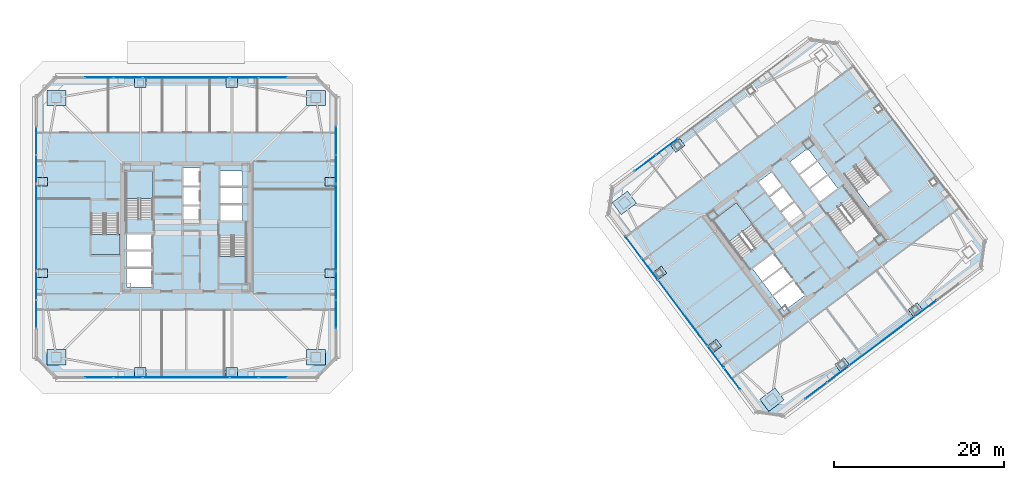
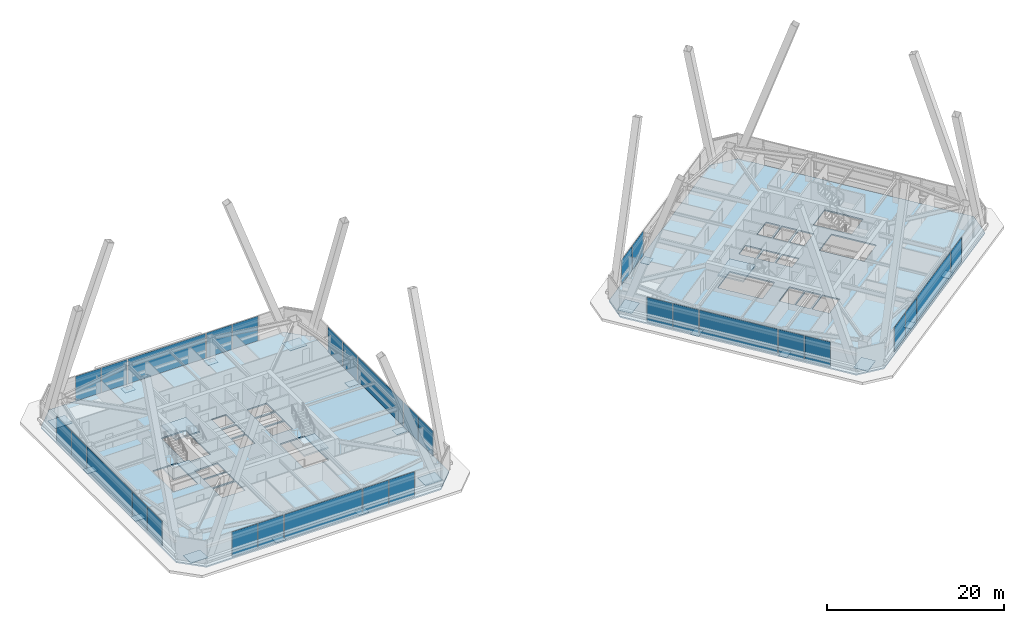
# One storey, part 53 of 65: 50 plates, 6 slabs, 23 elements without a shape of their own.
"""IFC4 building model written with IfcOpenShell, lengths in metres."""

from ifc_helpers import new_model, si_unit, direction, frame, origin, origin_2d, place, context, subcontext, project, spatial, polyline, rectangle, outline, extrude, material, layer, layer_set, type_object, element, aggregate, save


model = new_model("IFC4")

# Units and contexts
model_context = context("Model", 3, precision=1e-05, world=origin(), true_north=direction((0.0, 1.0)))
body_context = subcontext(model_context, "Body", "Model", "MODEL_VIEW")
ifc_project = project(units=[si_unit("LENGTHUNIT", "METRE"), si_unit("AREAUNIT", "SQUARE_METRE"), si_unit("VOLUMEUNIT", "CUBIC_METRE"), si_unit("PLANEANGLEUNIT", "RADIAN"), si_unit("MASSUNIT", "GRAM", prefix="KILO")], contexts=[model_context])

# Site, building, storey
site_placement = place(None, origin())
site = spatial("IfcSite", under=ifc_project, at=site_placement, CompositionType="ELEMENT")
building_placement = place(site_placement, origin())
building = spatial("IfcBuilding", under=site, at=building_placement, Name="Tashvorn Skyway Center", CompositionType="ELEMENT")
storey_placement = place(building_placement, frame((0.0, 0.0, 157.0)))
storey = spatial("IfcBuildingStorey", under=building, at=storey_placement, Name="L42", CompositionType="ELEMENT", Elevation=157.0)

# Curtain wall, plates
ifc_material_1 = material(Name="Thermally broken bronze-anodized aluminium 6063-T6", Category="aluminium")
curtain_wall_type = type_object("IfcCurtainWallType", Name="CW-CW-Z4", PredefinedType="NOTDEFINED", material=ifc_material_1)
curtain_wall_1_placement = place(storey_placement, origin())
curtain_wall_1 = element("IfcCurtainWall", 1, at=curtain_wall_1_placement, inside=storey, type_object=curtain_wall_type, Name="Tower 1 L42 South Unitised Curtain Wall Glazing Group 1", PredefinedType="NOTDEFINED")
ifc_material_2 = material(Name="Low-E solar-control double insulating safety glass", Category="glass")
ifc_layer_1 = layer(ifc_material_2, 0.035888671875)
ifc_layer_set_1 = layer_set([ifc_layer_1], Name="Low-E solar-control double insulating safety glass")
plate_type_1 = type_object("IfcPlateType", Name="CWP-CW-Z4", PredefinedType="CURTAIN_PANEL", material=ifc_layer_set_1)
plate_1_placement = place(storey_placement, frame((52.23583984375, 14.320068359375, 0.06982421875), z_axis=(0.0, 0.0, 1.0), x_axis=(-1.0, 0.0, 0.0)))
plate_1 = element("IfcPlate", 2, at=plate_1_placement, type_object=plate_type_1, Name="CW-Z4 panel 1.1", PredefinedType="CURTAIN_PANEL", context=body_context, shape_type="SweptSolid", body=[
    extrude(rectangle(XDim=3.312744140625, YDim=0.035888671875, at=origin_2d()), origin(), (0.0, 0.0, 1.0), 3.409912109375),
])
plate_2_placement = place(storey_placement, frame((48.85302734375, 14.320068359375, 0.06982421875), z_axis=(0.0, 0.0, 1.0), x_axis=(-1.0, 0.0, 0.0)))
plate_2 = element("IfcPlate", 3, at=plate_2_placement, type_object=plate_type_1, Name="CW-Z4 panel 2.1", PredefinedType="CURTAIN_PANEL", context=body_context, shape_type="SweptSolid", body=[
    extrude(rectangle(XDim=3.312744140625, YDim=0.035888671875, at=origin_2d()), origin(), (0.0, 0.0, 1.0), 3.409912109375),
])
aggregate(curtain_wall_1, [plate_1, plate_2])

# Curtain wall, plate
curtain_wall_2_placement = place(storey_placement, origin())
curtain_wall_2 = element("IfcCurtainWall", 4, at=curtain_wall_2_placement, inside=storey, type_object=curtain_wall_type, Name="Tower 1 L42 South Unitised Curtain Wall Glazing Group 2", PredefinedType="NOTDEFINED")
plate_3_placement = place(storey_placement, frame((42.0, 14.320068359375, 0.06982421875), z_axis=(0.0, 0.0, 1.0), x_axis=(-1.0, 0.0, 0.0)))
plate_3 = element("IfcPlate", 5, at=plate_3_placement, type_object=plate_type_1, Name="CW-Z4 panel 1.1", PredefinedType="CURTAIN_PANEL", context=body_context, shape_type="SweptSolid", body=[
    extrude(rectangle(XDim=10.11328125, YDim=0.035888671875, at=origin_2d()), origin(), (0.0, 0.0, 1.0), 3.409912109375),
])
aggregate(curtain_wall_2, [plate_3])

# Curtain wall, plates
curtain_wall_3_placement = place(storey_placement, origin())
curtain_wall_3 = element("IfcCurtainWall", 6, at=curtain_wall_3_placement, inside=storey, type_object=curtain_wall_type, Name="Tower 1 L42 South Unitised Curtain Wall Glazing Group 3", PredefinedType="NOTDEFINED")
plate_4_placement = place(storey_placement, frame((35.14697265625, 14.320068359375, 0.06982421875), z_axis=(0.0, 0.0, 1.0), x_axis=(-1.0, 0.0, 0.0)))
plate_4 = element("IfcPlate", 7, at=plate_4_placement, type_object=plate_type_1, Name="CW-Z4 panel 1.1", PredefinedType="CURTAIN_PANEL", context=body_context, shape_type="SweptSolid", body=[
    extrude(rectangle(XDim=3.312744140625, YDim=0.035888671875, at=origin_2d()), origin(), (0.0, 0.0, 1.0), 3.409912109375),
])
plate_5_placement = place(storey_placement, frame((31.76416015625, 14.320068359375, 0.06982421875), z_axis=(0.0, 0.0, 1.0), x_axis=(-1.0, 0.0, 0.0)))
plate_5 = element("IfcPlate", 8, at=plate_5_placement, type_object=plate_type_1, Name="CW-Z4 panel 2.1", PredefinedType="CURTAIN_PANEL", context=body_context, shape_type="SweptSolid", body=[
    extrude(rectangle(XDim=3.312744140625, YDim=0.035888671875, at=origin_2d()), origin(), (0.0, 0.0, 1.0), 3.409912109375),
])
aggregate(curtain_wall_3, [plate_4, plate_5])

curtain_wall_4_placement = place(storey_placement, origin())
curtain_wall_4 = element("IfcCurtainWall", 9, at=curtain_wall_4_placement, inside=storey, type_object=curtain_wall_type, Name="Tower 1 L42 West Unitised Curtain Wall Glazing Group 1", PredefinedType="NOTDEFINED")
plate_6_placement = place(storey_placement, frame((24.320068359375, 21.76416015625, 0.06982421875), z_axis=(0.0, 0.0, 1.0), x_axis=(0.0, 1.0, 0.0)))
plate_6 = element("IfcPlate", 10, at=plate_6_placement, type_object=plate_type_1, Name="CW-Z4 panel 1.1", PredefinedType="CURTAIN_PANEL", context=body_context, shape_type="SweptSolid", body=[
    extrude(rectangle(XDim=3.312744140625, YDim=0.035888671875, at=origin_2d()), origin(), (0.0, 0.0, 1.0), 3.409912109375),
])
plate_7_placement = place(storey_placement, frame((24.320068359375, 25.14697265625, 0.06982421875), z_axis=(0.0, 0.0, 1.0), x_axis=(0.0, 1.0, 0.0)))
plate_7 = element("IfcPlate", 11, at=plate_7_placement, type_object=plate_type_1, Name="CW-Z4 panel 2.1", PredefinedType="CURTAIN_PANEL", context=body_context, shape_type="SweptSolid", body=[
    extrude(rectangle(XDim=3.312744140625, YDim=0.035888671875, at=origin_2d()), origin(), (0.0, 0.0, 1.0), 3.409912109375),
])
aggregate(curtain_wall_4, [plate_6, plate_7])

# Curtain wall, plate
curtain_wall_5_placement = place(storey_placement, origin())
curtain_wall_5 = element("IfcCurtainWall", 12, at=curtain_wall_5_placement, inside=storey, type_object=curtain_wall_type, Name="Tower 1 L42 West Unitised Curtain Wall Glazing Group 2", PredefinedType="NOTDEFINED")
plate_8_placement = place(storey_placement, frame((24.320068359375, 32.0, 0.06982421875), z_axis=(0.0, 0.0, 1.0), x_axis=(0.0, 1.0, 0.0)))
plate_8 = element("IfcPlate", 13, at=plate_8_placement, type_object=plate_type_1, Name="CW-Z4 panel 1.1", PredefinedType="CURTAIN_PANEL", context=body_context, shape_type="SweptSolid", body=[
    extrude(rectangle(XDim=10.11328125, YDim=0.035888671875, at=origin_2d()), origin(), (0.0, 0.0, 1.0), 3.409912109375),
])
aggregate(curtain_wall_5, [plate_8])

# Curtain wall, plates
curtain_wall_6_placement = place(storey_placement, origin())
curtain_wall_6 = element("IfcCurtainWall", 14, at=curtain_wall_6_placement, inside=storey, type_object=curtain_wall_type, Name="Tower 1 L42 West Unitised Curtain Wall Glazing Group 3", PredefinedType="NOTDEFINED")
plate_9_placement = place(storey_placement, frame((24.320068359375, 38.85302734375, 0.06982421875), z_axis=(0.0, 0.0, 1.0), x_axis=(0.0, 1.0, 0.0)))
plate_9 = element("IfcPlate", 15, at=plate_9_placement, type_object=plate_type_1, Name="CW-Z4 panel 1.1", PredefinedType="CURTAIN_PANEL", context=body_context, shape_type="SweptSolid", body=[
    extrude(rectangle(XDim=3.312744140625, YDim=0.035888671875, at=origin_2d()), origin(), (0.0, 0.0, 1.0), 3.409912109375),
])
plate_10_placement = place(storey_placement, frame((24.320068359375, 42.23583984375, 0.06982421875), z_axis=(0.0, 0.0, 1.0), x_axis=(0.0, 1.0, 0.0)))
plate_10 = element("IfcPlate", 16, at=plate_10_placement, type_object=plate_type_1, Name="CW-Z4 panel 2.1", PredefinedType="CURTAIN_PANEL", context=body_context, shape_type="SweptSolid", body=[
    extrude(rectangle(XDim=3.312744140625, YDim=0.035888671875, at=origin_2d()), origin(), (0.0, 0.0, 1.0), 3.409912109375),
])
aggregate(curtain_wall_6, [plate_9, plate_10])

curtain_wall_7_placement = place(storey_placement, origin())
curtain_wall_7 = element("IfcCurtainWall", 17, at=curtain_wall_7_placement, inside=storey, type_object=curtain_wall_type, Name="Tower 1 L42 North Unitised Curtain Wall Glazing Group 1", PredefinedType="NOTDEFINED")
plate_11_placement = place(storey_placement, frame((31.76416015625, 49.679931640625, 0.06982421875), z_axis=(0.0, 0.0, 1.0), x_axis=(1.0, 0.0, 0.0)))
plate_11 = element("IfcPlate", 18, at=plate_11_placement, type_object=plate_type_1, Name="CW-Z4 panel 1.1", PredefinedType="CURTAIN_PANEL", context=body_context, shape_type="SweptSolid", body=[
    extrude(rectangle(XDim=3.312744140625, YDim=0.035888671875, at=origin_2d()), origin(), (0.0, 0.0, 1.0), 3.409912109375),
])
plate_12_placement = place(storey_placement, frame((35.14697265625, 49.679931640625, 0.06982421875), z_axis=(0.0, 0.0, 1.0), x_axis=(1.0, 0.0, 0.0)))
plate_12 = element("IfcPlate", 19, at=plate_12_placement, type_object=plate_type_1, Name="CW-Z4 panel 2.1", PredefinedType="CURTAIN_PANEL", context=body_context, shape_type="SweptSolid", body=[
    extrude(rectangle(XDim=3.312744140625, YDim=0.035888671875, at=origin_2d()), origin(), (0.0, 0.0, 1.0), 3.409912109375),
])
aggregate(curtain_wall_7, [plate_11, plate_12])

# Curtain wall, plate
curtain_wall_8_placement = place(storey_placement, origin())
curtain_wall_8 = element("IfcCurtainWall", 20, at=curtain_wall_8_placement, inside=storey, type_object=curtain_wall_type, Name="Tower 1 L42 North Unitised Curtain Wall Glazing Group 2", PredefinedType="NOTDEFINED")
plate_13_placement = place(storey_placement, frame((42.0, 49.679931640625, 0.06982421875), z_axis=(0.0, 0.0, 1.0), x_axis=(1.0, 0.0, 0.0)))
plate_13 = element("IfcPlate", 21, at=plate_13_placement, type_object=plate_type_1, Name="CW-Z4 panel 1.1", PredefinedType="CURTAIN_PANEL", context=body_context, shape_type="SweptSolid", body=[
    extrude(rectangle(XDim=10.11328125, YDim=0.035888671875, at=origin_2d()), origin(), (0.0, 0.0, 1.0), 3.409912109375),
])
aggregate(curtain_wall_8, [plate_13])

# Curtain wall, plates
curtain_wall_9_placement = place(storey_placement, origin())
curtain_wall_9 = element("IfcCurtainWall", 22, at=curtain_wall_9_placement, inside=storey, type_object=curtain_wall_type, Name="Tower 1 L42 North Unitised Curtain Wall Glazing Group 3", PredefinedType="NOTDEFINED")
plate_14_placement = place(storey_placement, frame((48.85302734375, 49.679931640625, 0.06982421875), z_axis=(0.0, 0.0, 1.0), x_axis=(1.0, 0.0, 0.0)))
plate_14 = element("IfcPlate", 23, at=plate_14_placement, type_object=plate_type_1, Name="CW-Z4 panel 1.1", PredefinedType="CURTAIN_PANEL", context=body_context, shape_type="SweptSolid", body=[
    extrude(rectangle(XDim=3.312744140625, YDim=0.035888671875, at=origin_2d()), origin(), (0.0, 0.0, 1.0), 3.409912109375),
])
plate_15_placement = place(storey_placement, frame((52.23583984375, 49.679931640625, 0.06982421875), z_axis=(0.0, 0.0, 1.0), x_axis=(1.0, 0.0, 0.0)))
plate_15 = element("IfcPlate", 24, at=plate_15_placement, type_object=plate_type_1, Name="CW-Z4 panel 2.1", PredefinedType="CURTAIN_PANEL", context=body_context, shape_type="SweptSolid", body=[
    extrude(rectangle(XDim=3.312744140625, YDim=0.035888671875, at=origin_2d()), origin(), (0.0, 0.0, 1.0), 3.409912109375),
])
aggregate(curtain_wall_9, [plate_14, plate_15])

curtain_wall_10_placement = place(storey_placement, origin())
curtain_wall_10 = element("IfcCurtainWall", 25, at=curtain_wall_10_placement, inside=storey, type_object=curtain_wall_type, Name="Tower 1 L42 East Unitised Curtain Wall Glazing Group 1", PredefinedType="NOTDEFINED")
plate_16_placement = place(storey_placement, frame((59.679931640625, 42.23583984375, 0.06982421875), z_axis=(0.0, 0.0, 1.0), x_axis=(0.0, -1.0, 0.0)))
plate_16 = element("IfcPlate", 26, at=plate_16_placement, type_object=plate_type_1, Name="CW-Z4 panel 1.1", PredefinedType="CURTAIN_PANEL", context=body_context, shape_type="SweptSolid", body=[
    extrude(rectangle(XDim=3.312744140625, YDim=0.035888671875, at=origin_2d()), origin(), (0.0, 0.0, 1.0), 3.409912109375),
])
plate_17_placement = place(storey_placement, frame((59.679931640625, 38.85302734375, 0.06982421875), z_axis=(0.0, 0.0, 1.0), x_axis=(0.0, -1.0, 0.0)))
plate_17 = element("IfcPlate", 27, at=plate_17_placement, type_object=plate_type_1, Name="CW-Z4 panel 2.1", PredefinedType="CURTAIN_PANEL", context=body_context, shape_type="SweptSolid", body=[
    extrude(rectangle(XDim=3.312744140625, YDim=0.035888671875, at=origin_2d()), origin(), (0.0, 0.0, 1.0), 3.409912109375),
])
aggregate(curtain_wall_10, [plate_16, plate_17])

# Curtain wall, plate
curtain_wall_11_placement = place(storey_placement, origin())
curtain_wall_11 = element("IfcCurtainWall", 28, at=curtain_wall_11_placement, inside=storey, type_object=curtain_wall_type, Name="Tower 1 L42 East Unitised Curtain Wall Glazing Group 2", PredefinedType="NOTDEFINED")
plate_18_placement = place(storey_placement, frame((59.679931640625, 32.0, 0.06982421875), z_axis=(0.0, 0.0, 1.0), x_axis=(0.0, -1.0, 0.0)))
plate_18 = element("IfcPlate", 29, at=plate_18_placement, type_object=plate_type_1, Name="CW-Z4 panel 1.1", PredefinedType="CURTAIN_PANEL", context=body_context, shape_type="SweptSolid", body=[
    extrude(rectangle(XDim=10.11328125, YDim=0.035888671875, at=origin_2d()), origin(), (0.0, 0.0, 1.0), 3.409912109375),
])
aggregate(curtain_wall_11, [plate_18])

# Curtain wall, plates
curtain_wall_12_placement = place(storey_placement, origin())
curtain_wall_12 = element("IfcCurtainWall", 30, at=curtain_wall_12_placement, inside=storey, type_object=curtain_wall_type, Name="Tower 1 L42 East Unitised Curtain Wall Glazing Group 3", PredefinedType="NOTDEFINED")
plate_19_placement = place(storey_placement, frame((59.679931640625, 25.14697265625, 0.06982421875), z_axis=(0.0, 0.0, 1.0), x_axis=(0.0, -1.0, 0.0)))
plate_19 = element("IfcPlate", 31, at=plate_19_placement, type_object=plate_type_1, Name="CW-Z4 panel 1.1", PredefinedType="CURTAIN_PANEL", context=body_context, shape_type="SweptSolid", body=[
    extrude(rectangle(XDim=3.312744140625, YDim=0.035888671875, at=origin_2d()), origin(), (0.0, 0.0, 1.0), 3.409912109375),
])
plate_20_placement = place(storey_placement, frame((59.679931640625, 21.76416015625, 0.06982421875), z_axis=(0.0, 0.0, 1.0), x_axis=(0.0, -1.0, 0.0)))
plate_20 = element("IfcPlate", 32, at=plate_20_placement, type_object=plate_type_1, Name="CW-Z4 panel 2.1", PredefinedType="CURTAIN_PANEL", context=body_context, shape_type="SweptSolid", body=[
    extrude(rectangle(XDim=3.312744140625, YDim=0.035888671875, at=origin_2d()), origin(), (0.0, 0.0, 1.0), 3.409912109375),
])
aggregate(curtain_wall_12, [plate_19, plate_20])

# Curtain wall, plate
curtain_wall_13_placement = place(storey_placement, origin())
curtain_wall_13 = element("IfcCurtainWall", 33, at=curtain_wall_13_placement, inside=storey, type_object=curtain_wall_type, Name="Tower 2 L42 South Unitised Curtain Wall Glazing Group 1", PredefinedType="NOTDEFINED")
plate_21_placement = place(storey_placement, frame((129.26611328125, 22.474609375, 0.06982421875), z_axis=(0.0, 0.0, 1.0), x_axis=(-0.799999999998, -0.600000000002, 0.0)))
plate_21 = element("IfcPlate", 34, at=plate_21_placement, type_object=plate_type_1, Name="CW-Z4 panel 2.1", PredefinedType="CURTAIN_PANEL", context=body_context, shape_type="SweptSolid", body=[
    extrude(rectangle(XDim=3.135009765625, YDim=0.035888671875, at=origin_2d()), origin(), (0.0, 0.0, 1.0), 3.409912109375),
])
aggregate(curtain_wall_13, [plate_21])

curtain_wall_14_placement = place(storey_placement, origin())
curtain_wall_14 = element("IfcCurtainWall", 35, at=curtain_wall_14_placement, inside=storey, type_object=curtain_wall_type, Name="Tower 2 L42 South Unitised Curtain Wall Glazing Group 2", PredefinedType="NOTDEFINED")
plate_22_placement = place(storey_placement, frame((124.068115234375, 18.575927734375, 0.06982421875), z_axis=(0.0, 0.0, 1.0), x_axis=(-0.799999999998, -0.600000000002, 0.0)))
plate_22 = element("IfcPlate", 36, at=plate_22_placement, type_object=plate_type_1, Name="CW-Z4 panel 1.1", PredefinedType="CURTAIN_PANEL", context=body_context, shape_type="SweptSolid", body=[
    extrude(rectangle(XDim=9.580078125, YDim=0.035888671875, at=origin_2d()), origin(), (0.0, 0.0, 1.0), 3.409912109375),
])
aggregate(curtain_wall_14, [plate_22])

# Curtain wall, plates
curtain_wall_15_placement = place(storey_placement, origin())
curtain_wall_15 = element("IfcCurtainWall", 37, at=curtain_wall_15_placement, inside=storey, type_object=curtain_wall_type, Name="Tower 2 L42 South Unitised Curtain Wall Glazing Group 3", PredefinedType="NOTDEFINED")
plate_23_placement = place(storey_placement, frame((118.8701171875, 14.677490234375, 0.06982421875), z_axis=(0.0, 0.0, 1.0), x_axis=(-0.799999999998, -0.600000000002, 0.0)))
plate_23 = element("IfcPlate", 38, at=plate_23_placement, type_object=plate_type_1, Name="CW-Z4 panel 1.1", PredefinedType="CURTAIN_PANEL", context=body_context, shape_type="SweptSolid", body=[
    extrude(rectangle(XDim=3.135009765625, YDim=0.035888671875, at=origin_2d()), origin(), (0.0, 0.0, 1.0), 3.409912109375),
])
plate_24_placement = place(storey_placement, frame((116.305908203125, 12.75439453125, 0.06982421875), z_axis=(0.0, 0.0, 1.0), x_axis=(-0.799999999998, -0.600000000002, 0.0)))
plate_24 = element("IfcPlate", 39, at=plate_24_placement, type_object=plate_type_1, Name="CW-Z4 panel 2.1", PredefinedType="CURTAIN_PANEL", context=body_context, shape_type="SweptSolid", body=[
    extrude(rectangle(XDim=3.135009765625, YDim=0.035888671875, at=origin_2d()), origin(), (0.0, 0.0, 1.0), 3.409912109375),
])
aggregate(curtain_wall_15, [plate_23, plate_24])

curtain_wall_16_placement = place(storey_placement, origin())
curtain_wall_16 = element("IfcCurtainWall", 40, at=curtain_wall_16_placement, inside=storey, type_object=curtain_wall_type, Name="Tower 2 L42 West Unitised Curtain Wall Glazing Group 1", PredefinedType="NOTDEFINED")
plate_25_placement = place(storey_placement, frame((106.3974609375, 14.169921875, 0.06982421875), z_axis=(0.0, 0.0, 1.0), x_axis=(-0.600000000002, 0.799999999998, 0.0)))
plate_25 = element("IfcPlate", 41, at=plate_25_placement, type_object=plate_type_1, Name="CW-Z4 panel 1.1", PredefinedType="CURTAIN_PANEL", context=body_context, shape_type="SweptSolid", body=[
    extrude(rectangle(XDim=3.135009765625, YDim=0.035888671875, at=origin_2d()), origin(), (0.0, 0.0, 1.0), 3.409912109375),
])
plate_26_placement = place(storey_placement, frame((104.474609375, 16.73388671875, 0.06982421875), z_axis=(0.0, 0.0, 1.0), x_axis=(-0.600000000002, 0.799999999998, 0.0)))
plate_26 = element("IfcPlate", 42, at=plate_26_placement, type_object=plate_type_1, Name="CW-Z4 panel 2.1", PredefinedType="CURTAIN_PANEL", context=body_context, shape_type="SweptSolid", body=[
    extrude(rectangle(XDim=3.135009765625, YDim=0.035888671875, at=origin_2d()), origin(), (0.0, 0.0, 1.0), 3.409912109375),
])
aggregate(curtain_wall_16, [plate_25, plate_26])

# Curtain wall, plate
curtain_wall_17_placement = place(storey_placement, origin())
curtain_wall_17 = element("IfcCurtainWall", 43, at=curtain_wall_17_placement, inside=storey, type_object=curtain_wall_type, Name="Tower 2 L42 West Unitised Curtain Wall Glazing Group 2", PredefinedType="NOTDEFINED")
plate_27_placement = place(storey_placement, frame((100.575927734375, 21.931884765625, 0.06982421875), z_axis=(0.0, 0.0, 1.0), x_axis=(-0.600000000002, 0.799999999998, 0.0)))
plate_27 = element("IfcPlate", 44, at=plate_27_placement, type_object=plate_type_1, Name="CW-Z4 panel 1.1", PredefinedType="CURTAIN_PANEL", context=body_context, shape_type="SweptSolid", body=[
    extrude(rectangle(XDim=9.580078125, YDim=0.035888671875, at=origin_2d()), origin(), (0.0, 0.0, 1.0), 3.409912109375),
])
aggregate(curtain_wall_17, [plate_27])

# Curtain wall, plates
curtain_wall_18_placement = place(storey_placement, origin())
curtain_wall_18 = element("IfcCurtainWall", 45, at=curtain_wall_18_placement, inside=storey, type_object=curtain_wall_type, Name="Tower 2 L42 West Unitised Curtain Wall Glazing Group 3", PredefinedType="NOTDEFINED")
plate_28_placement = place(storey_placement, frame((96.677490234375, 27.1298828125, 0.06982421875), z_axis=(0.0, 0.0, 1.0), x_axis=(-0.600000000002, 0.799999999998, 0.0)))
plate_28 = element("IfcPlate", 46, at=plate_28_placement, type_object=plate_type_1, Name="CW-Z4 panel 1.1", PredefinedType="CURTAIN_PANEL", context=body_context, shape_type="SweptSolid", body=[
    extrude(rectangle(XDim=3.135009765625, YDim=0.035888671875, at=origin_2d()), origin(), (0.0, 0.0, 1.0), 3.409912109375),
])
plate_29_placement = place(storey_placement, frame((94.75439453125, 29.694091796875, 0.06982421875), z_axis=(0.0, 0.0, 1.0), x_axis=(-0.600000000002, 0.799999999998, 0.0)))
plate_29 = element("IfcPlate", 47, at=plate_29_placement, type_object=plate_type_1, Name="CW-Z4 panel 2.1", PredefinedType="CURTAIN_PANEL", context=body_context, shape_type="SweptSolid", body=[
    extrude(rectangle(XDim=3.135009765625, YDim=0.035888671875, at=origin_2d()), origin(), (0.0, 0.0, 1.0), 3.409912109375),
])
aggregate(curtain_wall_18, [plate_28, plate_29])

curtain_wall_19_placement = place(storey_placement, origin())
curtain_wall_19 = element("IfcCurtainWall", 48, at=curtain_wall_19_placement, inside=storey, type_object=curtain_wall_type, Name="Tower 2 L42 North Unitised Curtain Wall Glazing Group 1", PredefinedType="NOTDEFINED")
plate_30_placement = place(storey_placement, frame((96.169921875, 39.6025390625, 0.06982421875), z_axis=(0.0, 0.0, 1.0), x_axis=(0.799999999998, 0.600000000002, 0.0)))
plate_30 = element("IfcPlate", 49, at=plate_30_placement, type_object=plate_type_1, Name="CW-Z4 panel 1.1", PredefinedType="CURTAIN_PANEL", context=body_context, shape_type="SweptSolid", body=[
    extrude(rectangle(XDim=3.135009765625, YDim=0.035888671875, at=origin_2d()), origin(), (0.0, 0.0, 1.0), 3.409912109375),
])
plate_31_placement = place(storey_placement, frame((98.73388671875, 41.525390625, 0.06982421875), z_axis=(0.0, 0.0, 1.0), x_axis=(0.799999999998, 0.600000000002, 0.0)))
plate_31 = element("IfcPlate", 50, at=plate_31_placement, type_object=plate_type_1, Name="CW-Z4 panel 2.1", PredefinedType="CURTAIN_PANEL", context=body_context, shape_type="SweptSolid", body=[
    extrude(rectangle(XDim=3.135009765625, YDim=0.035888671875, at=origin_2d()), origin(), (0.0, 0.0, 1.0), 3.409912109375),
])
aggregate(curtain_wall_19, [plate_30, plate_31])

# Plates
ifc_material_3 = material(Name="Steel ASTM A572 Grade 50", Category="steel")
ifc_layer_2 = layer(ifc_material_3, 0.050048828125)
ifc_layer_set_2 = layer_set([ifc_layer_2], Name="Steel ASTM A572 Grade 50")
plate_type_2 = type_object("IfcPlateType", Name="PLT-ENDCAP-1650", PredefinedType="USERDEFINED", material=ifc_layer_set_2)
for number, where, z_axis, x_axis, name in (
    (51, (26.699951171875, 16.699951171875, -0.21484375), (0.0, 0.0, 1.0), (1.0, 0.0, 0.0), "Tower 1 L42 MC-SW Setback Base End Plate"),
    (52, (57.300048828125, 16.699951171875, -0.21484375), (0.0, 0.0, 1.0), (1.0, 0.0, 0.0), "Tower 1 L42 MC-SE Setback Base End Plate"),
    (53, (57.300048828125, 47.300048828125, -0.21484375), (0.0, 0.0, 1.0), (1.0, 0.0, 0.0), "Tower 1 L42 MC-NE Setback Base End Plate"),
    (54, (26.699951171875, 47.300048828125, -0.21484375), (0.0, 0.0, 1.0), (1.0, 0.0, 0.0), "Tower 1 L42 MC-NW Setback Base End Plate"),
    (55, (111.10009765625, 11.699951171875, -0.21484375), (0.0, 0.0, 1.0), (0.799999996291, 0.600000004945, 0.0), "Tower 2 L42 MC-SW Setback Base End Plate"),
    (56, (93.699951171875, 34.89990234375, -0.21484375), (0.0, 0.0, 1.0), (0.799999996291, 0.600000004945, 0.0), "Tower 2 L42 MC-NW Setback Base End Plate"),
):
    element("IfcPlate", number, at=place(storey_placement, frame(where, z_axis=z_axis, x_axis=x_axis)), inside=storey, type_object=plate_type_2, Name=name, ObjectType="END PLATE", PredefinedType="USERDEFINED", context=body_context, shape_type="SweptSolid", body=[
        extrude(rectangle(XDim=2.25, YDim=1.780029296875, at=origin_2d()), origin(), (0.0, 0.0, 1.0), 0.050048828125),
    ])
ifc_layer_3 = layer(ifc_material_3, 0.050048828125)
ifc_layer_set_3 = layer_set([ifc_layer_3], Name="Steel ASTM A572 Grade 50")
plate_type_3 = type_object("IfcPlateType", Name="PLT-ENDCAP-900", PredefinedType="USERDEFINED", material=ifc_layer_set_3)
for number, where, z_axis, x_axis, name in (
    (57, (36.60009765625, 14.949951171875, -0.21484375), (0.0, 0.0, 1.0), (1.0, 0.0, 0.0), "Tower 1 L42 FC-S1 Setback Base End Plate"),
    (58, (47.39990234375, 14.949951171875, -0.21484375), (0.0, 0.0, 1.0), (1.0, 0.0, 0.0), "Tower 1 L42 FC-S2 Setback Base End Plate"),
    (59, (59.050048828125, 26.60009765625, -0.21484375), (0.0, 0.0, 1.0), (1.0, 0.0, 0.0), "Tower 1 L42 FC-E1 Setback Base End Plate"),
    (60, (59.050048828125, 37.39990234375, -0.21484375), (0.0, 0.0, 1.0), (1.0, 0.0, 0.0), "Tower 1 L42 FC-E2 Setback Base End Plate"),
    (61, (47.39990234375, 49.050048828125, -0.21484375), (0.0, 0.0, 1.0), (1.0, 0.0, 0.0), "Tower 1 L42 FC-N1 Setback Base End Plate"),
    (62, (36.60009765625, 49.050048828125, -0.21484375), (0.0, 0.0, 1.0), (1.0, 0.0, 0.0), "Tower 1 L42 FC-N2 Setback Base End Plate"),
    (63, (24.949951171875, 37.39990234375, -0.21484375), (0.0, 0.0, 1.0), (1.0, 0.0, 0.0), "Tower 1 L42 FC-W1 Setback Base End Plate"),
    (64, (24.949951171875, 26.60009765625, -0.21484375), (0.0, 0.0, 1.0), (1.0, 0.0, 0.0), "Tower 1 L42 FC-W2 Setback Base End Plate"),
    (65, (119.3701171875, 15.840087890625, -0.21484375), (0.0, 0.0, 1.0), (0.799999996291, 0.600000004945, 0.0), "Tower 2 L42 FC-S1 Setback Base End Plate"),
    (66, (128.010009765625, 22.320068359375, -0.21484375), (0.0, 0.0, 1.0), (0.799999996291, 0.600000004945, 0.0), "Tower 2 L42 FC-S2 Setback Base End Plate"),
    (67, (99.989990234375, 41.679931640625, -0.21484375), (0.0, 0.0, 1.0), (0.799999996291, 0.600000004945, 0.0), "Tower 2 L42 FC-N2 Setback Base End Plate"),
    (68, (97.840087890625, 26.6298828125, -0.21484375), (0.0, 0.0, 1.0), (0.799999996291, 0.600000004945, 0.0), "Tower 2 L42 FC-W1 Setback Base End Plate"),
    (69, (104.320068359375, 17.989990234375, -0.21484375), (0.0, 0.0, 1.0), (0.799999996291, 0.600000004945, 0.0), "Tower 2 L42 FC-W2 Setback Base End Plate"),
):
    element("IfcPlate", number, at=place(storey_placement, frame(where, z_axis=z_axis, x_axis=x_axis)), inside=storey, type_object=plate_type_3, Name=name, ObjectType="END PLATE", PredefinedType="USERDEFINED", context=body_context, shape_type="SweptSolid", body=[
        extrude(rectangle(XDim=1.35009765625, YDim=1.050048828125, at=origin_2d()), origin(), (0.0, 0.0, 1.0), 0.050048828125),
    ])

# Slabs
ifc_material_4 = material(Name="Concrete C40/50", Category="concrete")
ifc_layer_4 = layer(ifc_material_4, 0.179931640625)
ifc_layer_set_4 = layer_set([ifc_layer_4], Name="Concrete C40/50")
slab_type_1 = type_object("IfcSlabType", Name="SLAB-FLR-180", PredefinedType="FLOOR", material=ifc_layer_set_4)
slab_1_placement = place(storey_placement, frame((0.0, 0.0, -0.179931640625)))
element("IfcSlab", 70, at=slab_1_placement, inside=storey, type_object=slab_type_1, Name="Tower 1 L42 Composite Floor Slab", PredefinedType="FLOOR", context=body_context, shape_type="SweptSolid", body=[
    extrude(outline(polyline([(26.699951171875, 14.199951171875), (57.300048828125, 14.199951171875), (59.800048828125, 16.699951171875), (59.800048828125, 47.300048828125), (57.300048828125, 49.800048828125), (26.699951171875, 49.800048828125), (24.199951171875, 47.300048828125), (24.199951171875, 16.699951171875), (26.699951171875, 14.199951171875)]), holes=[polyline([(38.10009765625, 33.080078125), (38.10009765625, 38.60009765625), (34.89990234375, 38.60009765625), (34.89990234375, 33.080078125), (38.10009765625, 33.080078125)]), polyline([(45.89990234375, 30.919921875), (45.89990234375, 25.39990234375), (49.10009765625, 25.39990234375), (49.10009765625, 30.919921875), (45.89990234375, 30.919921875)]), polyline([(30.800048828125, 33.52001953125), (30.800048828125, 28.800048828125), (34.0, 28.800048828125), (34.0, 33.52001953125), (30.800048828125, 33.52001953125)]), polyline([(34.949951171875, 29.35009765625), (37.949951171875, 29.35009765625), (37.949951171875, 31.199951171875), (34.949951171875, 31.199951171875), (34.949951171875, 29.35009765625)]), polyline([(34.949951171875, 27.35009765625), (37.949951171875, 27.35009765625), (37.949951171875, 29.199951171875), (34.949951171875, 29.199951171875), (34.949951171875, 27.35009765625)]), polyline([(34.949951171875, 25.0), (37.949951171875, 25.0), (37.949951171875, 27.14990234375), (34.949951171875, 27.14990234375), (34.949951171875, 25.0)]), polyline([(41.64990234375, 32.449951171875), (43.550048828125, 32.449951171875), (43.550048828125, 34.5), (41.64990234375, 34.5), (41.64990234375, 32.449951171875)]), polyline([(41.64990234375, 34.699951171875), (43.550048828125, 34.699951171875), (43.550048828125, 36.75), (41.64990234375, 36.75), (41.64990234375, 34.699951171875)]), polyline([(41.64990234375, 36.949951171875), (43.550048828125, 36.949951171875), (43.550048828125, 39.0), (41.64990234375, 39.0), (41.64990234375, 36.949951171875)]), polyline([(46.050048828125, 32.800048828125), (48.64990234375, 32.800048828125), (48.64990234375, 34.64990234375), (46.050048828125, 34.64990234375), (46.050048828125, 32.800048828125)]), polyline([(46.050048828125, 34.85009765625), (48.64990234375, 34.85009765625), (48.64990234375, 36.699951171875), (46.050048828125, 36.699951171875), (46.050048828125, 34.85009765625)]), polyline([(46.050048828125, 36.89990234375), (48.64990234375, 36.89990234375), (48.64990234375, 38.64990234375), (46.050048828125, 38.64990234375), (46.050048828125, 36.89990234375)])]), origin(), (0.0, 0.0, 1.0), 0.179931640625),
])
slab_2_placement = place(storey_placement, frame((0.0, 0.0, -0.179931640625)))
element("IfcSlab", 71, at=slab_2_placement, inside=storey, type_object=slab_type_1, Name="Tower 2 L42 Composite Floor Slab", PredefinedType="FLOOR", context=body_context, shape_type="SweptSolid", body=[
    extrude(outline(polyline([(112.5400390625, 9.780029296875), (135.739990234375, 27.179931640625), (136.219970703125, 30.5400390625), (118.820068359375, 53.739990234375), (115.4599609375, 54.219970703125), (92.260009765625, 36.820068359375), (91.780029296875, 33.4599609375), (109.179931640625, 10.260009765625), (112.5400390625, 9.780029296875)]), holes=[polyline([(110.23193359375, 30.52392578125), (106.919921875, 34.93994140625), (104.135986328125, 32.85205078125), (107.447998046875, 28.43603515625), (110.23193359375, 30.52392578125)]), polyline([(117.76806640625, 33.47607421875), (121.080078125, 29.06005859375), (123.864013671875, 31.14794921875), (120.552001953125, 35.56396484375), (117.76806640625, 33.47607421875)]), polyline([(119.7119140625, 38.18408203125), (122.5439453125, 34.407958984375), (125.10400390625, 36.327880859375), (122.27197265625, 40.10400390625), (119.7119140625, 38.18408203125)]), polyline([(109.949951171875, 25.64990234375), (112.35009765625, 27.449951171875), (111.239990234375, 28.929931640625), (108.840087890625, 27.1298828125), (109.949951171875, 25.64990234375)]), polyline([(111.14990234375, 24.050048828125), (113.550048828125, 25.85009765625), (112.43994140625, 27.330078125), (110.0400390625, 25.530029296875), (111.14990234375, 24.050048828125)]), polyline([(112.56005859375, 22.169921875), (114.9599609375, 23.969970703125), (113.669921875, 25.68994140625), (111.27001953125, 23.889892578125), (112.56005859375, 22.169921875)]), polyline([(113.449951171875, 32.14990234375), (114.969970703125, 33.2900390625), (113.739990234375, 34.929931640625), (112.219970703125, 33.7900390625), (113.449951171875, 32.14990234375)]), polyline([(112.10009765625, 33.949951171875), (113.6201171875, 35.090087890625), (112.389892578125, 36.72998046875), (110.8701171875, 35.590087890625), (112.10009765625, 33.949951171875)]), polyline([(110.75, 35.75), (112.27001953125, 36.889892578125), (111.0400390625, 38.530029296875), (109.52001953125, 37.389892578125), (110.75, 35.75)]), polyline([(116.760009765625, 35.070068359375), (118.840087890625, 36.6298828125), (117.72998046875, 38.110107421875), (115.64990234375, 36.550048828125), (116.760009765625, 35.070068359375)]), polyline([(115.530029296875, 36.7099609375), (117.610107421875, 38.27001953125), (116.5, 39.75), (114.419921875, 38.18994140625), (115.530029296875, 36.7099609375)]), polyline([(114.300048828125, 38.35009765625), (116.3798828125, 39.909912109375), (115.330078125, 41.31005859375), (113.25, 39.75), (114.300048828125, 38.35009765625)])]), origin(), (0.0, 0.0, 1.0), 0.179931640625),
])

# Stair, slab
stair_type = type_object("IfcStairType", Name="STAIR-CORE-1500", PredefinedType="HALF_TURN_STAIR", material=ifc_material_4)
stair_1_placement = place(storey_placement, origin())
stair_1 = element("IfcStair", 72, at=stair_1_placement, inside=storey, type_object=stair_type, Name="L42 Tower 1 Exit Stair 1", PredefinedType="HALF_TURN_STAIR")
ifc_layer_5 = layer(ifc_material_4, 0.199951171875)
ifc_layer_set_5 = layer_set([ifc_layer_5], Name="Concrete C40/50")
slab_type_2 = type_object("IfcSlabType", Name="SLAB-LAND-200", PredefinedType="LANDING", material=ifc_layer_set_5)
slab_3_placement = place(storey_placement, frame((0.0, 0.0, 1.574951171875)))
slab_3 = element("IfcSlab", 73, at=slab_3_placement, type_object=slab_type_2, Name="ST-T1-1 landing 1", PredefinedType="LANDING", context=body_context, shape_type="SweptSolid", body=[
    extrude(outline(polyline([(38.10009765625, 35.43994140625), (38.10009765625, 38.60009765625), (34.89990234375, 38.60009765625), (34.89990234375, 35.43994140625), (38.10009765625, 35.43994140625)])), origin(), (0.0, 0.0, 1.0), 0.199951171875),
])
aggregate(stair_1, [slab_3])

stair_2_placement = place(storey_placement, origin())
stair_2 = element("IfcStair", 74, at=stair_2_placement, inside=storey, type_object=stair_type, Name="L42 Tower 1 Exit Stair 2", PredefinedType="HALF_TURN_STAIR")
slab_4_placement = place(storey_placement, frame((0.0, 0.0, 1.574951171875)))
slab_4 = element("IfcSlab", 75, at=slab_4_placement, type_object=slab_type_2, Name="ST-T1-2 landing 1", PredefinedType="LANDING", context=body_context, shape_type="SweptSolid", body=[
    extrude(outline(polyline([(45.89990234375, 28.56005859375), (45.89990234375, 25.39990234375), (49.10009765625, 25.39990234375), (49.10009765625, 28.56005859375), (45.89990234375, 28.56005859375)])), origin(), (0.0, 0.0, 1.0), 0.199951171875),
])
aggregate(stair_2, [slab_4])

stair_3_placement = place(storey_placement, origin())
stair_3 = element("IfcStair", 76, at=stair_3_placement, inside=storey, type_object=stair_type, Name="L42 Tower 2 Exit Stair 1", PredefinedType="HALF_TURN_STAIR")
slab_5_placement = place(storey_placement, frame((0.0, 0.0, 1.574951171875)))
slab_5 = element("IfcSlab", 77, at=slab_5_placement, type_object=slab_type_2, Name="ST-T2-1 landing 1", PredefinedType="LANDING", context=body_context, shape_type="SweptSolid", body=[
    extrude(outline(polyline([(108.82080078125, 32.405517578125), (106.919921875, 34.93994140625), (104.135986328125, 32.85205078125), (106.036865234375, 30.317626953125), (108.82080078125, 32.405517578125)])), origin(), (0.0, 0.0, 1.0), 0.199951171875),
])
aggregate(stair_3, [slab_5])

stair_4_placement = place(storey_placement, origin())
stair_4 = element("IfcStair", 78, at=stair_4_placement, inside=storey, type_object=stair_type, Name="L42 Tower 1 Exit Stair 3", PredefinedType="HALF_TURN_STAIR")
slab_6_placement = place(storey_placement, frame((0.0, 0.0, 1.574951171875)))
slab_6 = element("IfcSlab", 79, at=slab_6_placement, type_object=slab_type_2, Name="ST-T1-3 landing 1", PredefinedType="LANDING", context=body_context, shape_type="SweptSolid", body=[
    extrude(outline(polyline([(30.800048828125, 31.159912109375), (30.800048828125, 28.800048828125), (34.199951171875, 28.800048828125), (34.199951171875, 31.159912109375), (30.800048828125, 31.159912109375)])), origin(), (0.0, 0.0, 1.0), 0.199951171875),
])
aggregate(stair_4, [slab_6])

save(model, "model.ifc")
